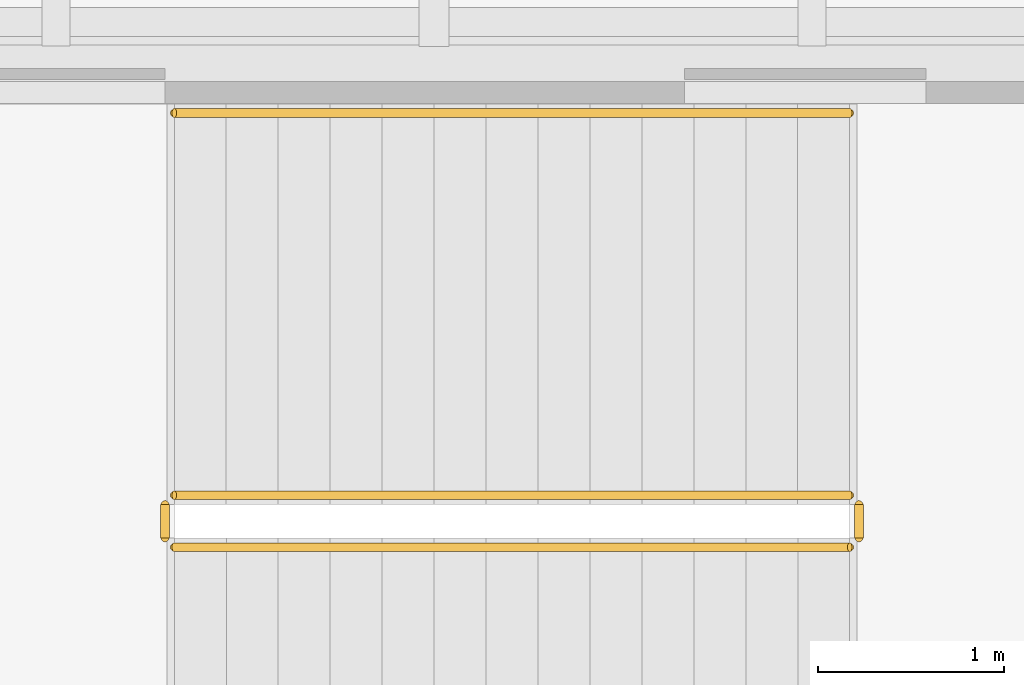
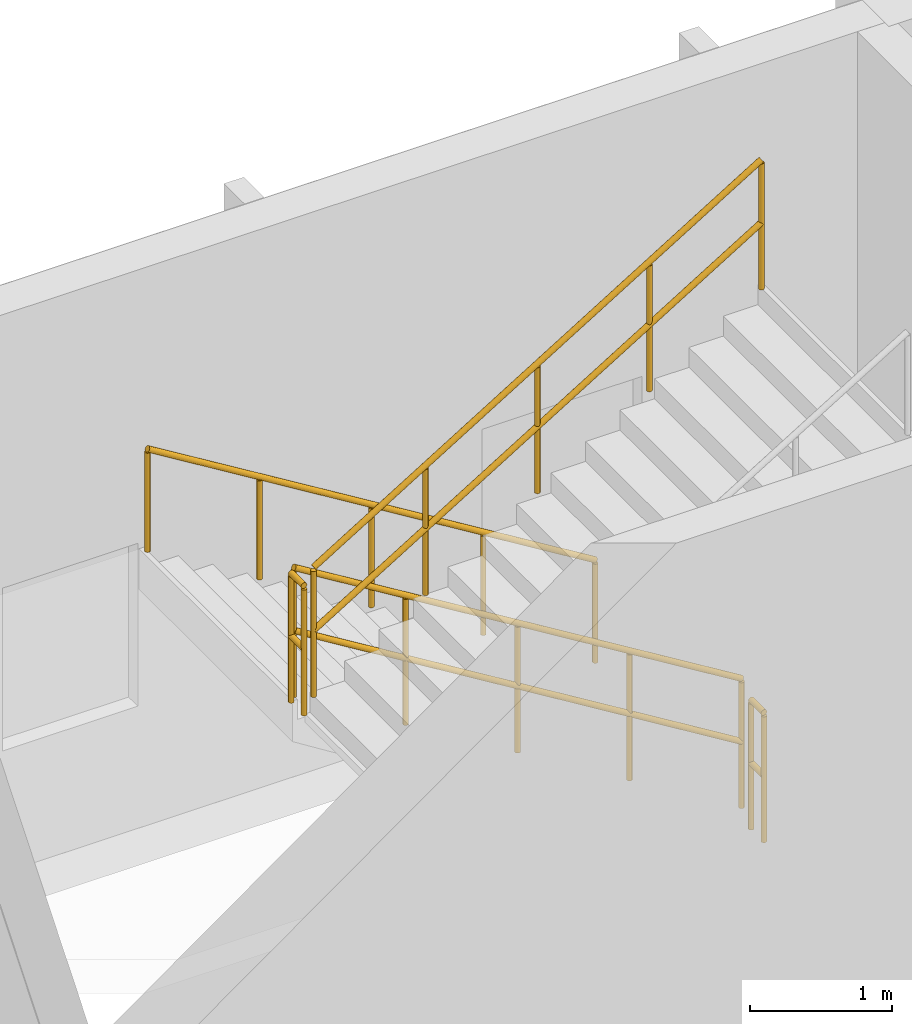
# One storey, part 104 of 109: 5 railings.
"""IFC4 building model written with IfcOpenShell, lengths in metres."""

from ifc_helpers import new_model, si_unit, direction, frame, origin, origin_2d, place, context, subcontext, project, spatial, circle, extrude, material, layer, layer_set, type_object, element, save


model = new_model("IFC4")

# Units and contexts
model_context = context("Model", 3, precision=1e-05, world=origin(), true_north=direction((0.0, 1.0)))
body_context = subcontext(model_context, "Body", "Model", "MODEL_VIEW")
ifc_project = project(units=[si_unit("LENGTHUNIT", "METRE"), si_unit("AREAUNIT", "SQUARE_METRE"), si_unit("VOLUMEUNIT", "CUBIC_METRE"), si_unit("PLANEANGLEUNIT", "RADIAN"), si_unit("MASSUNIT", "GRAM", prefix="KILO")], contexts=[model_context])

# Site, building, storey
site_placement = place(None, origin())
site = spatial("IfcSite", under=ifc_project, at=site_placement, CompositionType="ELEMENT")
building_placement = place(site_placement, origin())
building = spatial("IfcBuilding", under=site, at=building_placement, Name="Kivolera Central Railway Station", CompositionType="ELEMENT")
storey_placement = place(building_placement, frame((0.0, 0.0, 9.60009765625)))
storey = spatial("IfcBuildingStorey", under=building, at=storey_placement, Name="L02", CompositionType="ELEMENT", Elevation=9.60009765625)

# Railings
ifc_material = material(Name="Anodised aluminium", Category="aluminium")
ifc_layer_1 = layer(ifc_material, 0.048095703125, Name="Anodised aluminium")
ifc_layer_set_1 = layer_set([ifc_layer_1], Name="Anodised aluminium")
railing_type_1 = type_object("IfcRailingType", Name="RL-STAIR-GUARD", PredefinedType="GUARDRAIL", material=ifc_layer_set_1)
railing_1_placement = place(storey_placement, frame((125.239990234375, 131.570068359375, 0.17138671875)))
element("IfcRailing", 1, at=railing_1_placement, inside=storey, type_object=railing_type_1, Name="L02 ST1 stair guard 1", PredefinedType="GUARDRAIL", context=body_context, shape_type="SweptSolid", body=[
    extrude(circle(Radius=0.02392578125, at=origin_2d()), frame((0.0, 0.0, 1.10595703125), z_axis=(-0.852850264322, 0.0, 0.5221555579), x_axis=(0.0, -1.0, 0.0)), (0.0, 0.0, 1.0), 4.267822265625),
    extrude(circle(Radius=0.02392578125, at=origin_2d()), frame((0.0, 0.0, 0.56494140625), z_axis=(-0.852850264322, 0.0, 0.5221555579), x_axis=(0.0, -1.0, 0.0)), (0.0, 0.0, 1.0), 4.267822265625),
    extrude(circle(Radius=0.02099609375, at=origin_2d()), origin(), (0.0, 0.0, 1.0), 1.081787109375),
    extrude(circle(Radius=0.02099609375, at=origin_2d()), frame((-0.909912109375, 0.0, 0.55712890625)), (0.0, 0.0, 1.0), 1.081787109375),
    extrude(circle(Radius=0.02099609375, at=origin_2d()), frame((-1.81982421875, 0.0, 1.1142578125)), (0.0, 0.0, 1.0), 1.081787109375),
    extrude(circle(Radius=0.02099609375, at=origin_2d()), frame((-2.72998046875, 0.0, 1.67138671875)), (0.0, 0.0, 1.0), 1.081787109375),
    extrude(circle(Radius=0.02099609375, at=origin_2d()), frame((-3.639892578125, 0.0, 2.228515625)), (0.0, 0.0, 1.0), 1.081787109375),
])
railing_2_placement = place(storey_placement, frame((121.550048828125, 131.52001953125, 2.39990234375)))
element("IfcRailing", 2, at=railing_2_placement, inside=storey, type_object=railing_type_1, Name="L02 ST1 stair guard 2", PredefinedType="GUARDRAIL", context=body_context, shape_type="SweptSolid", body=[
    extrude(circle(Radius=0.02392578125, at=origin_2d()), frame((0.0, 0.0, 1.10595703125), z_axis=(0.0, -1.0, 0.0), x_axis=(1.0, 0.0, 0.0)), (0.0, 0.0, 1.0), 0.179931640625),
    extrude(circle(Radius=0.02392578125, at=origin_2d()), frame((0.0, 0.0, 0.56494140625), z_axis=(0.0, -1.0, 0.0), x_axis=(1.0, 0.0, 0.0)), (0.0, 0.0, 1.0), 0.179931640625),
    extrude(circle(Radius=0.02099609375, at=origin_2d()), origin(), (0.0, 0.0, 1.0), 1.081787109375),
    extrude(circle(Radius=0.02099609375, at=origin_2d()), frame((0.0, -0.179931640625, 0.0)), (0.0, 0.0, 1.0), 1.081787109375),
])
railing_3_placement = place(storey_placement, frame((121.60009765625, 131.2900390625, 2.5712890625)))
element("IfcRailing", 3, at=railing_3_placement, inside=storey, type_object=railing_type_1, Name="L02 ST1 stair guard 3", PredefinedType="GUARDRAIL", context=body_context, shape_type="SweptSolid", body=[
    extrude(circle(Radius=0.02392578125, at=origin_2d()), frame((0.0, 0.0, 1.10595703125), z_axis=(0.852850264322, 0.0, 0.5221555579), x_axis=(0.0, 1.0, 0.0)), (0.0, 0.0, 1.0), 4.267822265625),
    extrude(circle(Radius=0.02392578125, at=origin_2d()), frame((0.0, 0.0, 0.56494140625), z_axis=(0.852850264322, 0.0, 0.5221555579), x_axis=(0.0, 1.0, 0.0)), (0.0, 0.0, 1.0), 4.267822265625),
    extrude(circle(Radius=0.02099609375, at=origin_2d()), origin(), (0.0, 0.0, 1.0), 1.081787109375),
    extrude(circle(Radius=0.02099609375, at=origin_2d()), frame((0.909912109375, 0.0, 0.55712890625)), (0.0, 0.0, 1.0), 1.081787109375),
    extrude(circle(Radius=0.02099609375, at=origin_2d()), frame((1.81982421875, 0.0, 1.1142578125)), (0.0, 0.0, 1.0), 1.081787109375),
    extrude(circle(Radius=0.02099609375, at=origin_2d()), frame((2.72998046875, 0.0, 1.67138671875)), (0.0, 0.0, 1.0), 1.081787109375),
    extrude(circle(Radius=0.02099609375, at=origin_2d()), frame((3.639892578125, 0.0, 2.228515625)), (0.0, 0.0, 1.0), 1.081787109375),
])
railing_4_placement = place(storey_placement, frame((125.2900390625, 131.52001953125, 0.0)))
element("IfcRailing", 4, at=railing_4_placement, inside=storey, type_object=railing_type_1, Name="L02 ST1 stair guard 4", PredefinedType="GUARDRAIL", context=body_context, shape_type="SweptSolid", body=[
    extrude(circle(Radius=0.02392578125, at=origin_2d()), frame((0.0, 0.0, 1.10595703125), z_axis=(0.0, -1.0, 0.0), x_axis=(1.0, 0.0, 0.0)), (0.0, 0.0, 1.0), 0.179931640625),
    extrude(circle(Radius=0.02392578125, at=origin_2d()), frame((0.0, 0.0, 0.56494140625), z_axis=(0.0, -1.0, 0.0), x_axis=(1.0, 0.0, 0.0)), (0.0, 0.0, 1.0), 0.179931640625),
    extrude(circle(Radius=0.02099609375, at=origin_2d()), origin(), (0.0, 0.0, 1.0), 1.081787109375),
    extrude(circle(Radius=0.02099609375, at=origin_2d()), frame((0.0, -0.179931640625, 0.0)), (0.0, 0.0, 1.0), 1.081787109375),
])
ifc_layer_2 = layer(ifc_material, 0.048095703125, Name="Anodised aluminium")
ifc_layer_set_2 = layer_set([ifc_layer_2], Name="Anodised aluminium")
railing_type_2 = type_object("IfcRailingType", Name="RL-STAIR-HAND", PredefinedType="HANDRAIL", material=ifc_layer_set_2)
railing_5_placement = place(storey_placement, frame((125.239990234375, 133.6298828125, 0.17138671875)))
element("IfcRailing", 5, at=railing_5_placement, inside=storey, type_object=railing_type_2, Name="L02 ST1 stair handrail 1", PredefinedType="HANDRAIL", context=body_context, shape_type="SweptSolid", body=[
    extrude(circle(Radius=0.02392578125, at=origin_2d()), frame((0.0, 0.0, 0.8759765625), z_axis=(-0.852850264322, 0.0, 0.5221555579), x_axis=(0.0, -1.0, 0.0)), (0.0, 0.0, 1.0), 4.267822265625),
    extrude(circle(Radius=0.02099609375, at=origin_2d()), origin(), (0.0, 0.0, 1.0), 0.851806640625),
    extrude(circle(Radius=0.02099609375, at=origin_2d()), frame((-0.909912109375, 0.0, 0.55712890625)), (0.0, 0.0, 1.0), 0.851806640625),
    extrude(circle(Radius=0.02099609375, at=origin_2d()), frame((-1.81982421875, 0.0, 1.1142578125)), (0.0, 0.0, 1.0), 0.851806640625),
    extrude(circle(Radius=0.02099609375, at=origin_2d()), frame((-2.72998046875, 0.0, 1.67138671875)), (0.0, 0.0, 1.0), 0.851806640625),
    extrude(circle(Radius=0.02099609375, at=origin_2d()), frame((-3.639892578125, 0.0, 2.228515625)), (0.0, 0.0, 1.0), 0.851806640625),
])

save(model, "model.ifc")
